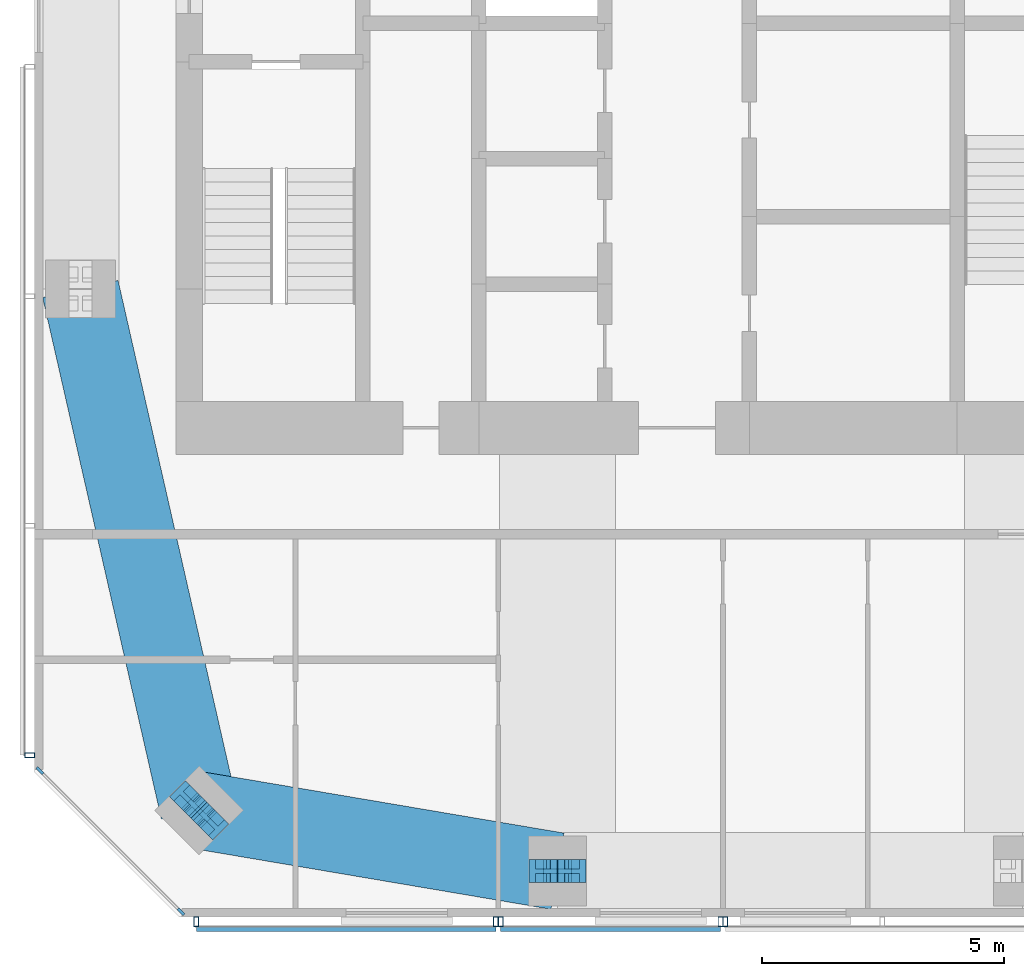
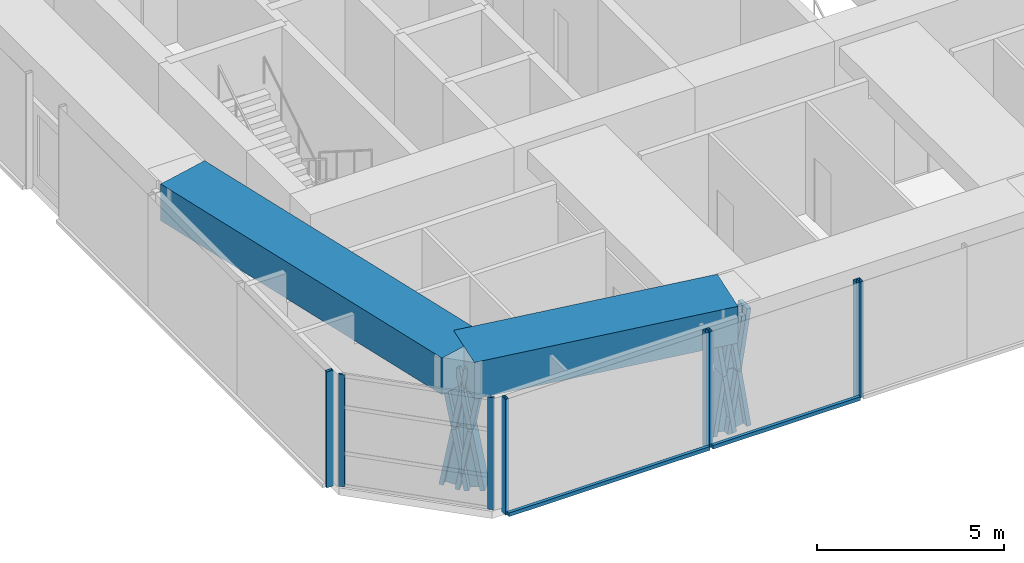
# One storey, part 2 of 20: 18 members, 2 beams, 5 elements without a shape of their own.
"""IFC4 building model written with IfcOpenShell, lengths in metres."""

import ifcopenshell
import ifcopenshell.guid

model = None  # the IFC model being written
_history = None  # IfcOwnerHistory: only IFC2X3 demands one
_inside = {}  # id of a spatial element -> (the spatial element, [elements in it])
_under = {}  # id of a project, library or spatial element -> (it, [spatial elements below it])
_declared = {}  # id of a project -> (the project, [libraries it declares])
_typed = {}  # id of a type object -> (the type object, [elements of that type])
_made_of = {}  # id of a material, layer set ... -> (it, [elements and type objects made of it])


def new_model(schema):
    """Start an empty IFC model of exactly this schema.

    Asked for "IFC4X3", IfcOpenShell would pick the latest addendum, in which some entities
    have other attributes; the version numbers below select the first issue.
    IFC2X3 requires an IfcOwnerHistory on every rooted entity: one is made here for all.
    """
    global model, _history
    if schema == "IFC4X3":
        model = ifcopenshell.file(schema_version=(4, 3, 0, 0))
    else:
        model = ifcopenshell.file(schema=schema)
    _inside.clear()
    _under.clear()
    _declared.clear()
    _typed.clear()
    _made_of.clear()
    _history = None
    if model.schema == "IFC2X3":
        org = make("IfcOrganization", Name="unknown")
        user = make(
            "IfcPersonAndOrganization",
            ThePerson=make("IfcPerson", FamilyName="unknown"),
            TheOrganization=org,
        )
        app = make(
            "IfcApplication",
            ApplicationDeveloper=org,
            Version="unknown",
            ApplicationFullName="unknown",
            ApplicationIdentifier="unknown",
        )
        _history = make(
            "IfcOwnerHistory",
            OwningUser=user,
            OwningApplication=app,
            ChangeAction="ADDED",
            CreationDate=0,
        )
    return model


def make(cls, **values):
    """One entity of the class cls with the attributes given. An attribute that is None is left unset."""
    return model.create_entity(
        cls, **{name: value for name, value in values.items() if value is not None}
    )


def rooted(cls, **values):
    """An entity with a GlobalId (a new one), such as an element, a storey or a relation."""
    return make(cls, GlobalId=ifcopenshell.guid.new(), OwnerHistory=_history, **values)


def si_unit(unit_type, name, prefix=None):
    """IfcSIUnit, for example si_unit("LENGTHUNIT", "METRE", prefix="MILLI")."""
    return make("IfcSIUnit", UnitType=unit_type, Prefix=prefix, Name=name)


def assignment(units):
    """IfcUnitAssignment: the units of a project."""
    return None if units is None else make("IfcUnitAssignment", Units=units)


def point(xyz):
    """IfcCartesianPoint."""
    return None if xyz is None else make("IfcCartesianPoint", Coordinates=xyz)


def direction(xyz):
    """IfcDirection."""
    return None if xyz is None else make("IfcDirection", DirectionRatios=xyz)


def frame(location, z_axis=None, x_axis=None):
    """IfcAxis2Placement3D, a coordinate frame: its origin and axes. An axis left out is left unset."""
    return make(
        "IfcAxis2Placement3D",
        Location=point(location),
        Axis=direction(z_axis),
        RefDirection=direction(x_axis),
    )


def frame_2d(location, x_axis=None):
    """IfcAxis2Placement2D, a coordinate frame in the plane: its origin and x axis."""
    return make(
        "IfcAxis2Placement2D", Location=point(location), RefDirection=direction(x_axis)
    )


def origin():
    """The frame at (0, 0, 0) with its axes left unset."""
    return frame((0.0, 0.0, 0.0))


def origin_2d():
    """The frame at (0, 0) in the plane with its x axis left unset."""
    return frame_2d((0.0, 0.0))


def place(relative_to, where):
    """IfcLocalPlacement: puts the frame where relative to a parent placement (None: the world)."""
    return make(
        "IfcLocalPlacement", PlacementRelTo=relative_to, RelativePlacement=where
    )


def context(
    kind, dimensions, precision=None, world=None, true_north=None, identifier=None
):
    """IfcGeometricRepresentationContext, for example the 3D "Model" context."""
    return make(
        "IfcGeometricRepresentationContext",
        ContextIdentifier=identifier,
        ContextType=kind,
        CoordinateSpaceDimension=dimensions,
        Precision=precision,
        WorldCoordinateSystem=world,
        TrueNorth=true_north,
    )


def subcontext(parent, identifier, kind, view, scale=None):
    """IfcGeometricRepresentationSubContext, for example "Body" below "Model"."""
    return make(
        "IfcGeometricRepresentationSubContext",
        ContextIdentifier=identifier,
        ContextType=kind,
        ParentContext=parent,
        TargetScale=scale,
        TargetView=view,
    )


def project(units=None, contexts=None):
    """IfcProject with its units and contexts."""
    return rooted(
        "IfcProject",
        Name="project",
        RepresentationContexts=contexts,
        UnitsInContext=assignment(units),
    )


def spatial(cls, under=None, at=None, **own):
    """A site, building, storey or space (cls), placed at a placement, below another one or the project."""
    s = rooted(cls, ObjectPlacement=at, **own)
    if under is not None:
        _under.setdefault(under.id(), (under, []))[1].append(s)
    return s


def profile(cls, at=None, kind="AREA", **sizes):
    """A parametric profile (cls). Its sizes go by their IFC names, for example OverallWidth=200.0."""
    return make(cls, ProfileType=kind, Position=at, **sizes)


def rectangle(**sizes):
    """IfcRectangleProfileDef."""
    return profile("IfcRectangleProfileDef", **sizes)


def hollow_rectangle(**sizes):
    """IfcRectangleHollowProfileDef."""
    return profile("IfcRectangleHollowProfileDef", **sizes)


def i_section(**sizes):
    """IfcIShapeProfileDef."""
    return profile("IfcIShapeProfileDef", **sizes)


def extrude(swept, where, along, depth):
    """IfcExtrudedAreaSolid: the profile swept, set in the frame where, extruded along a direction by depth."""
    return make(
        "IfcExtrudedAreaSolid",
        SweptArea=swept,
        Position=where,
        ExtrudedDirection=direction(along),
        Depth=depth,
    )


def shape(context_of_items, identifier, shape_type, items):
    """IfcShapeRepresentation: the items that make up one representation, for example the "Body"."""
    return make(
        "IfcShapeRepresentation",
        ContextOfItems=context_of_items,
        RepresentationIdentifier=identifier,
        RepresentationType=shape_type,
        Items=items,
    )


def material(Name=None, Category=None):
    """IfcMaterial."""
    return make("IfcMaterial", Name=Name, Category=Category)


def material_profile(
    of_material, cross_section, Name=None, Category=None, Priority=None
):
    """IfcMaterialProfile: a cross section and its material."""
    return make(
        "IfcMaterialProfile",
        Name=Name,
        Material=of_material,
        Profile=cross_section,
        Priority=Priority,
        Category=Category,
    )


def profile_set(profiles, Name=None, composite=None):
    """IfcMaterialProfileSet."""
    return make(
        "IfcMaterialProfileSet",
        Name=Name,
        MaterialProfiles=profiles,
        CompositeProfile=composite,
    )


def made_of(thing, what):
    """Note that an element or type object is made of a material, layer set ...; save() writes the relation."""
    if what is not None:
        _made_of.setdefault(what.id(), (what, []))[1].append(thing)
    return thing


def type_object(cls, material=None, **own):
    """A type object (cls), such as IfcWallType, which elements share."""
    return made_of(rooted(cls, **own), material)


def element(
    cls,
    number,
    at=None,
    inside=None,
    cuts=None,
    type_object=None,
    material=None,
    context=None,
    identifier="Body",
    shape_type=None,
    held_by="IfcProductDefinitionShape",
    body=None,
    shapes=None,
    **own,
):
    """One element of the class cls, such as IfcWall. Its Tag is "e" and its number.

    at: its placement. inside: the storey or other place that contains it. cuts: it is an
    opening in that element (IfcRelVoidsElement). A single representation is given by context,
    identifier, shape_type and body (its items); several are given by shapes. held_by: the class
    of the entity that holds the representations. save() writes the other relations.
    """
    e = rooted(cls, Tag="e%d" % number, ObjectPlacement=at, **own)
    if body is not None:
        shapes = [shape(context, identifier, shape_type, body)]
    if shapes is not None:
        e.Representation = make(held_by, Representations=shapes)
    if inside is not None:
        _inside.setdefault(inside.id(), (inside, []))[1].append(e)
    if cuts is not None:
        rooted(
            "IfcRelVoidsElement", RelatingBuildingElement=cuts, RelatedOpeningElement=e
        )
    if type_object is not None:
        _typed.setdefault(type_object.id(), (type_object, []))[1].append(e)
    return made_of(e, material)


def aggregate(whole, parts):
    """IfcRelAggregates: a whole, such as a stair, and the parts it consists of."""
    return rooted("IfcRelAggregates", RelatingObject=whole, RelatedObjects=parts)


def save(model, path):
    """Write the relations noted so far, then the file.

    IfcRelAggregates (storeys below a building ...), IfcRelContainedInSpatialStructure (elements
    in a storey), IfcRelDefinesByType, IfcRelAssociatesMaterial and IfcRelDeclares: one each for
    every whole, place, type object, material and project.
    """
    for whole, parts in _under.values():
        aggregate(whole, parts)
    for where, things in _inside.values():
        rooted(
            "IfcRelContainedInSpatialStructure",
            RelatedElements=things,
            RelatingStructure=where,
        )
    for kind, things in _typed.values():
        rooted("IfcRelDefinesByType", RelatedObjects=things, RelatingType=kind)
    for what, things in _made_of.values():
        rooted("IfcRelAssociatesMaterial", RelatedObjects=things, RelatingMaterial=what)
    for by, libraries in _declared.values():
        rooted("IfcRelDeclares", RelatingContext=by, RelatedDefinitions=libraries)
    model.write(path)


model = new_model("IFC4")

# Units and contexts
model_context = context("Model", 3, precision=1e-05, world=origin(), true_north=direction((0.0, 1.0)))
body_context = subcontext(model_context, "Body", "Model", "MODEL_VIEW")
ifc_project = project(units=[si_unit("LENGTHUNIT", "METRE"), si_unit("AREAUNIT", "SQUARE_METRE"), si_unit("VOLUMEUNIT", "CUBIC_METRE"), si_unit("PLANEANGLEUNIT", "RADIAN"), si_unit("MASSUNIT", "GRAM", prefix="KILO")], contexts=[model_context])

# Site, building, storey
site_placement = place(None, origin())
site = spatial("IfcSite", under=ifc_project, at=site_placement, CompositionType="ELEMENT")
building_placement = place(site_placement, origin())
building = spatial("IfcBuilding", under=site, at=building_placement, Name="Jalousie Tower", CompositionType="ELEMENT")
storey_placement = place(building_placement, frame((0.0, 0.0, 259.949951171875)))
storey = spatial("IfcBuildingStorey", under=building, at=storey_placement, Name="L71", CompositionType="ELEMENT", Elevation=259.949951171875)

# Curtain wall, members
ifc_material_1 = material(Name="Aluminium curtain wall", Category="aluminium")
curtain_wall_type_1 = type_object("IfcCurtainWallType", Name="PENTHOUSE CORNER WINDOW WALL", PredefinedType="USERDEFINED", material=ifc_material_1)
curtain_wall_1_placement = place(storey_placement, origin())
curtain_wall_1 = element("IfcCurtainWall", 1, at=curtain_wall_1_placement, inside=storey, type_object=curtain_wall_type_1, Name="Penthouse Corner Window Wall L71 8", ObjectType="PENTHOUSE CORNER WINDOW WALL", PredefinedType="USERDEFINED")
ifc_material_2 = material(Name="Aluminium mullion", Category="aluminium")
ifc_material_profile_1 = material_profile(ifc_material_2, rectangle(XDim=0.06005859375, YDim=0.179931640625, at=origin_2d()), Name="MULLION 60x180")
ifc_profile_set_1 = profile_set([ifc_material_profile_1], Name="Aluminium mullion")
member_type_1 = type_object("IfcMemberType", Name="PENTHOUSE CORNER WINDOW WALL MULLION", PredefinedType="MULLION", material=ifc_profile_set_1)
member_1_placement = place(storey_placement, frame((16.90869140625, 3.030029296875, 0.0), z_axis=(0.0, 0.0, 1.0), x_axis=(0.707106781187, 0.707106781187, 0.0)))
member_1 = element("IfcMember", 2, at=member_1_placement, type_object=member_type_1, Name="CW-H mullion 1", PredefinedType="MULLION", context=body_context, shape_type="SweptSolid", body=[
    extrude(rectangle(XDim=0.06005859375, YDim=0.179931640625, at=origin_2d()), origin(), (0.0, 0.0, 1.0), 3.66015625),
])
member_2_placement = place(storey_placement, frame((19.830078125, 0.108642578125, 0.0), z_axis=(0.0, 0.0, 1.0), x_axis=(0.707106781187, 0.707106781187, 0.0)))
member_2 = element("IfcMember", 3, at=member_2_placement, type_object=member_type_1, Name="CW-H mullion 2", PredefinedType="MULLION", context=body_context, shape_type="SweptSolid", body=[
    extrude(rectangle(XDim=0.06005859375, YDim=0.179931640625, at=origin_2d()), origin(), (0.0, 0.0, 1.0), 3.66015625),
])
aggregate(curtain_wall_1, [member_1, member_2])

# Members
ifc_material_3 = material(Name="Steel ASTM A992 Grade 50", Category="steel")
ifc_material_profile_2 = material_profile(ifc_material_3, i_section(OverallWidth=0.472412109375, OverallDepth=0.5791015625, WebThickness=0.094970703125, FlangeThickness=0.1298828125, at=origin_2d()), Name="W14X808")
ifc_profile_set_2 = profile_set([ifc_material_profile_2], Name="Steel ASTM A992 Grade 50")
member_type_2 = type_object("IfcMemberType", Name="PERIMETER BRACE W14X808", PredefinedType="BRACE", material=ifc_profile_set_2)
for number, where, z_axis, x_axis, name in (
    (4, (19.959716796875, 2.45458984375, -0.599853515625), (0.124836902862, -0.124960137712, 0.984276745467), (0.707455539091, 0.706757851183, 0.0), "Perimeter brace 01 L71 part 1"),
    (5, (20.20703125, 2.20703125, 1.35009765625), (0.124960137712, -0.124836902862, 0.984276745467), (0.706757851183, 0.707455539091, 0.0), "Perimeter brace 01 L71 part 2"),
    (6, (20.45458984375, 1.959716796875, -0.599853515625), (-0.124960137712, 0.124836902862, 0.984276745467), (-0.706757851183, -0.707455539091, 0.0), "Perimeter brace 01 L71 part 3"),
    (7, (20.20703125, 2.20703125, 1.35009765625), (-0.124836902862, 0.124960137712, 0.984276745467), (-0.707455539091, -0.706757851183, 0.0), "Perimeter brace 01 L71 part 4"),
):
    element("IfcMember", number, at=place(storey_placement, frame(where, z_axis=z_axis, x_axis=x_axis)), inside=storey, type_object=member_type_2, Name=name, PredefinedType="BRACE", context=body_context, shape_type="SweptSolid", body=[
        extrude(i_section(OverallWidth=0.472412109375, OverallDepth=0.5791015625, WebThickness=0.094970703125, FlangeThickness=0.1298828125, at=origin_2d()), origin(), (0.0, 0.0, 1.0), 1.981201171875),
    ])
for number, where, z_axis, x_axis, name in (
    (8, (27.324951171875, 0.949951171875, -0.599853515625), (0.152085080919, 0.0, 0.988367405453), (0.0, 1.0, 0.0), "Perimeter brace 02 L71 part 1"),
    (9, (27.625, 0.949951171875, 1.35009765625), (0.152085080919, 0.0, 0.988367405453), (0.0, 1.0, 0.0), "Perimeter brace 02 L71 part 2"),
    (10, (27.925048828125, 0.949951171875, -0.599853515625), (-0.152085080919, 0.0, 0.988367405453), (0.0, -1.0, 0.0), "Perimeter brace 02 L71 part 3"),
    (11, (27.625, 0.949951171875, 1.35009765625), (-0.152085080919, 0.0, 0.988367405453), (0.0, -1.0, 0.0), "Perimeter brace 02 L71 part 4"),
):
    element("IfcMember", number, at=place(storey_placement, frame(where, z_axis=z_axis, x_axis=x_axis)), inside=storey, type_object=member_type_2, Name=name, PredefinedType="BRACE", context=body_context, shape_type="SweptSolid", body=[
        extrude(i_section(OverallWidth=0.472412109375, OverallDepth=0.5791015625, WebThickness=0.094970703125, FlangeThickness=0.1298828125, at=origin_2d()), origin(), (0.0, 0.0, 1.0), 1.972900390625),
    ])

# Beams
ifc_material_4 = material(Name="Concrete f'c 40 MPa", Category="concrete")
ifc_material_profile_3 = material_profile(ifc_material_4, rectangle(XDim=1.60009765625, YDim=1.199951171875, at=origin_2d()), Name="RC 1600x1200")
ifc_profile_set_3 = profile_set([ifc_material_profile_3], Name="Concrete f'c 40 MPa")
beam_type = type_object("IfcBeamType", Name="RC BEAM 1600x1200", PredefinedType="BEAM", material=ifc_profile_set_3)
beam_1_placement = place(storey_placement, frame((20.20703125, 2.20703125, 3.300048828125), z_axis=(0.985942997446, -0.167082033105, 0.0), x_axis=(0.167082033105, 0.985942997446, 0.0)))
element("IfcBeam", 12, at=beam_1_placement, inside=storey, type_object=beam_type, Name="Edge band beam 01-02 under L72", PredefinedType="BEAM", context=body_context, shape_type="SweptSolid", body=[
    extrude(rectangle(XDim=1.60009765625, YDim=1.199951171875, at=origin_2d()), origin(), (0.0, 0.0, 1.0), 7.523681640625),
])
beam_2_placement = place(storey_placement, frame((17.75, 13.0, 3.300048828125), z_axis=(0.221971905818, -0.975053061647, 0.0), x_axis=(0.975053061647, 0.221971905818, 0.0)))
element("IfcBeam", 13, at=beam_2_placement, inside=storey, type_object=beam_type, Name="Edge band beam 14-01 under L72", PredefinedType="BEAM", context=body_context, shape_type="SweptSolid", body=[
    extrude(rectangle(XDim=1.60009765625, YDim=1.199951171875, at=origin_2d()), origin(), (0.0, 0.0, 1.0), 11.069091796875),
])

# Curtain wall, members
ifc_material_5 = material(Name="Perforated aluminium sheet", Category="aluminium")
curtain_wall_type_2 = type_object("IfcCurtainWallType", Name="SOLAR SCREEN SS-2", PredefinedType="USERDEFINED", material=ifc_material_5)
curtain_wall_2_placement = place(storey_placement, origin())
curtain_wall_2 = element("IfcCurtainWall", 14, at=curtain_wall_2_placement, inside=storey, type_object=curtain_wall_type_2, Name="Solar screen L71", ObjectType="SOLAR SCREEN SS-2", PredefinedType="USERDEFINED")
ifc_material_6 = material(Name="Steel ASTM A500 Grade C", Category="steel")
ifc_material_profile_4 = material_profile(ifc_material_6, hollow_rectangle(XDim=0.1015625, YDim=0.203125, WallThickness=0.0078125, at=origin_2d()), Name="HSS8X4X5/16")
ifc_profile_set_4 = profile_set([ifc_material_profile_4], Name="Steel ASTM A500 Grade C")
member_type_3 = type_object("IfcMemberType", Name="SOLAR SCREEN SS-2 MULLION", PredefinedType="MULLION", material=ifc_profile_set_4)
member_3_placement = place(storey_placement, frame((20.1513671875, -0.0966796875, -0.119873046875), z_axis=(0.0, 0.0, 1.0), x_axis=(1.0, 0.0, 0.0)))
member_3 = element("IfcMember", 15, at=member_3_placement, type_object=member_type_3, Name="SS2 post 1", PredefinedType="MULLION", context=body_context, shape_type="SweptSolid", body=[
    extrude(hollow_rectangle(XDim=0.1015625, YDim=0.203125, WallThickness=0.0078125, at=origin_2d()), origin(), (0.0, 0.0, 1.0), 3.780029296875),
])
member_4_placement = place(storey_placement, frame((26.35009765625, -0.0966796875, -0.119873046875), z_axis=(0.0, 0.0, 1.0), x_axis=(1.0, 0.0, 0.0)))
member_4 = element("IfcMember", 16, at=member_4_placement, type_object=member_type_3, Name="SS2 post 2", PredefinedType="MULLION", context=body_context, shape_type="SweptSolid", body=[
    extrude(hollow_rectangle(XDim=0.1015625, YDim=0.203125, WallThickness=0.0078125, at=origin_2d()), origin(), (0.0, 0.0, 1.0), 3.780029296875),
])

curtain_wall_3_placement = place(storey_placement, origin())
curtain_wall_3 = element("IfcCurtainWall", 17, at=curtain_wall_3_placement, inside=storey, type_object=curtain_wall_type_2, Name="Solar screen L71", ObjectType="SOLAR SCREEN SS-2", PredefinedType="USERDEFINED")
member_5_placement = place(storey_placement, frame((26.449951171875, -0.0966796875, -0.119873046875), z_axis=(0.0, 0.0, 1.0), x_axis=(1.0, 0.0, 0.0)))
member_5 = element("IfcMember", 18, at=member_5_placement, type_object=member_type_3, Name="SS2 post 1", PredefinedType="MULLION", context=body_context, shape_type="SweptSolid", body=[
    extrude(hollow_rectangle(XDim=0.1015625, YDim=0.203125, WallThickness=0.0078125, at=origin_2d()), origin(), (0.0, 0.0, 1.0), 3.780029296875),
])
member_6_placement = place(storey_placement, frame((31.0, -0.0966796875, -0.119873046875), z_axis=(0.0, 0.0, 1.0), x_axis=(1.0, 0.0, 0.0)))
member_6 = element("IfcMember", 19, at=member_6_placement, type_object=member_type_3, Name="SS2 post 2", PredefinedType="MULLION", context=body_context, shape_type="SweptSolid", body=[
    extrude(hollow_rectangle(XDim=0.1015625, YDim=0.203125, WallThickness=0.0078125, at=origin_2d()), origin(), (0.0, 0.0, 1.0), 3.780029296875),
])

# Curtain wall, member
curtain_wall_4_placement = place(storey_placement, origin())
curtain_wall_4 = element("IfcCurtainWall", 20, at=curtain_wall_4_placement, inside=storey, type_object=curtain_wall_type_2, Name="Solar screen L71", ObjectType="SOLAR SCREEN SS-2", PredefinedType="USERDEFINED")
member_7_placement = place(storey_placement, frame((31.10009765625, -0.0966796875, -0.119873046875), z_axis=(0.0, 0.0, 1.0), x_axis=(1.0, 0.0, 0.0)))
member_7 = element("IfcMember", 21, at=member_7_placement, type_object=member_type_3, Name="SS2 post 1", PredefinedType="MULLION", context=body_context, shape_type="SweptSolid", body=[
    extrude(hollow_rectangle(XDim=0.1015625, YDim=0.203125, WallThickness=0.0078125, at=origin_2d()), origin(), (0.0, 0.0, 1.0), 3.780029296875),
])
aggregate(curtain_wall_4, [member_7])

curtain_wall_5_placement = place(storey_placement, origin())
curtain_wall_5 = element("IfcCurtainWall", 22, at=curtain_wall_5_placement, inside=storey, type_object=curtain_wall_type_2, Name="Solar screen L71", ObjectType="SOLAR SCREEN SS-2", PredefinedType="USERDEFINED")
member_8_placement = place(storey_placement, frame((16.703369140625, 3.351318359375, -0.119873046875), z_axis=(0.0, 0.0, 1.0), x_axis=(0.0, -1.0, 0.0)))
member_8 = element("IfcMember", 23, at=member_8_placement, type_object=member_type_3, Name="SS2 post 4", PredefinedType="MULLION", context=body_context, shape_type="SweptSolid", body=[
    extrude(hollow_rectangle(XDim=0.1015625, YDim=0.203125, WallThickness=0.0078125, at=origin_2d()), origin(), (0.0, 0.0, 1.0), 3.780029296875),
])
aggregate(curtain_wall_5, [member_8])

# Member
ifc_material_7 = material(Name="Extruded aluminium screen rail", Category="aluminium")
ifc_material_profile_5 = material_profile(ifc_material_7, rectangle(XDim=0.1015625, YDim=0.1201171875, at=origin_2d()), Name="RAIL 102x120")
ifc_profile_set_5 = profile_set([ifc_material_profile_5], Name="Extruded aluminium screen rail")
member_type_4 = type_object("IfcMemberType", Name="SOLAR SCREEN SS-2 TRANSOM", PredefinedType="USERDEFINED", material=ifc_profile_set_5)
member_9_placement = place(storey_placement, frame((20.1513671875, -0.2490234375, -0.06005859375), z_axis=(1.0, 0.0, 0.0), x_axis=(0.0, 1.0, 0.0)))
member_9 = element("IfcMember", 24, at=member_9_placement, type_object=member_type_4, Name="SS2 rail", ObjectType="TRANSOM", PredefinedType="USERDEFINED", context=body_context, shape_type="SweptSolid", body=[
    extrude(rectangle(XDim=0.1015625, YDim=0.1201171875, at=origin_2d()), origin(), (0.0, 0.0, 1.0), 6.19873046875),
])

aggregate(curtain_wall_2, [member_3, member_4, member_9])

member_10_placement = place(storey_placement, frame((26.449951171875, -0.2490234375, -0.06005859375), z_axis=(1.0, 0.0, 0.0), x_axis=(0.0, 1.0, 0.0)))
member_10 = element("IfcMember", 25, at=member_10_placement, type_object=member_type_4, Name="SS2 rail", ObjectType="TRANSOM", PredefinedType="USERDEFINED", context=body_context, shape_type="SweptSolid", body=[
    extrude(rectangle(XDim=0.1015625, YDim=0.1201171875, at=origin_2d()), origin(), (0.0, 0.0, 1.0), 4.550048828125),
])

aggregate(curtain_wall_3, [member_5, member_6, member_10])

save(model, "model.ifc")
